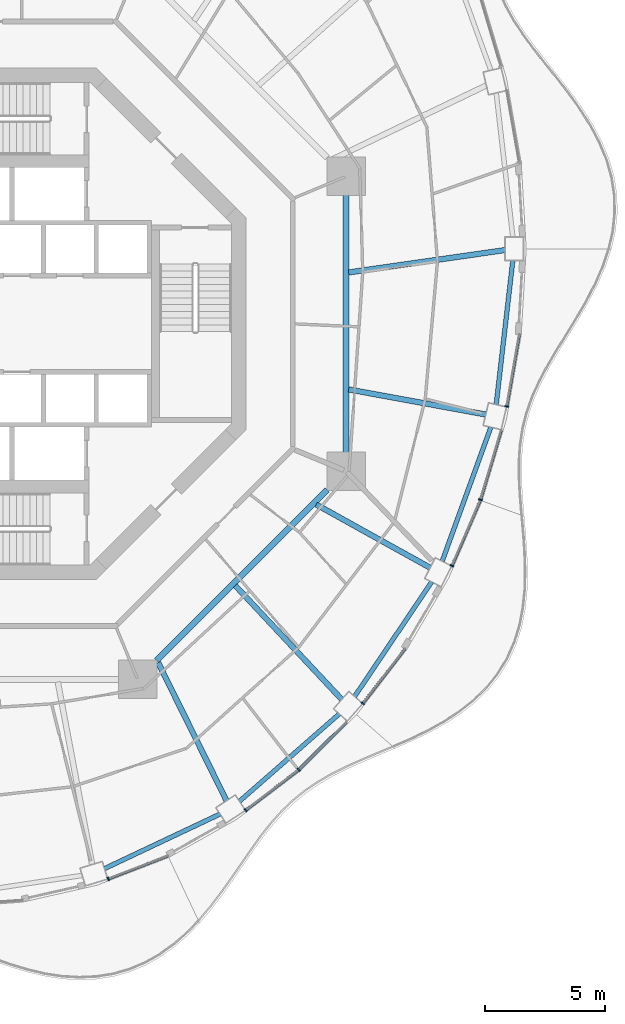
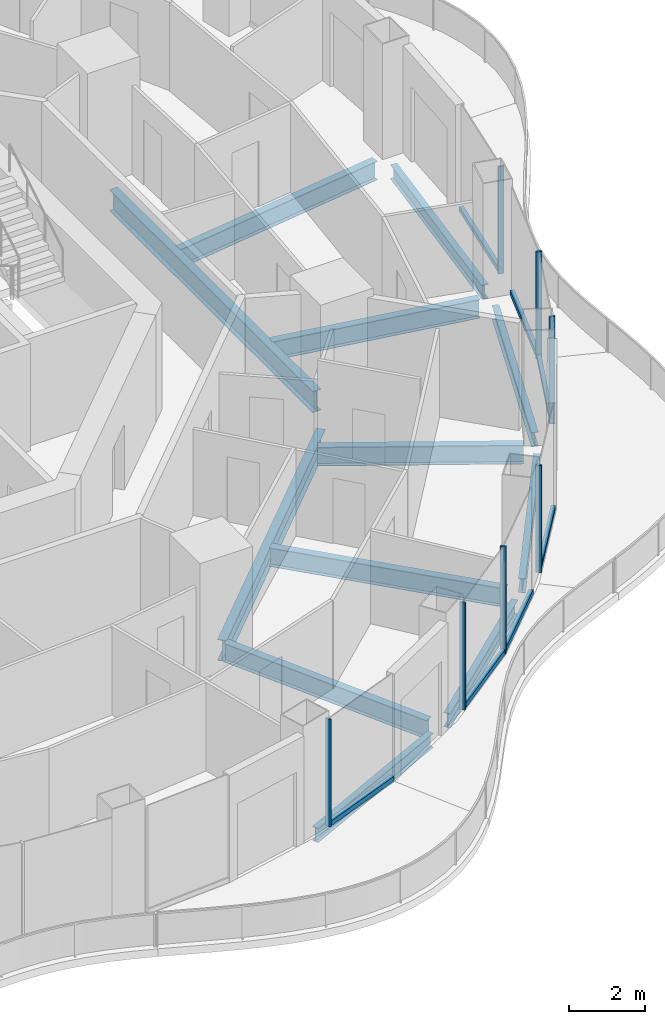
# One storey, part 4 of 18: 14 members, 12 beams, 7 elements without a shape of their own.
"""IFC4 building model written with IfcOpenShell, lengths in metres."""

from ifc_helpers import new_model, si_unit, direction, frame, origin, origin_2d, place, context, subcontext, project, spatial, rectangle, i_section, extrude, material, layer, layer_set, material_profile, profile_set, type_object, element, aggregate, save


model = new_model("IFC4")

# Units and contexts
model_context = context("Model", 3, precision=1e-05, world=origin(), true_north=direction((0.0, 1.0)))
body_context = subcontext(model_context, "Body", "Model", "MODEL_VIEW")
ifc_project = project(units=[si_unit("LENGTHUNIT", "METRE"), si_unit("AREAUNIT", "SQUARE_METRE"), si_unit("VOLUMEUNIT", "CUBIC_METRE"), si_unit("PLANEANGLEUNIT", "RADIAN"), si_unit("MASSUNIT", "GRAM", prefix="KILO")], contexts=[model_context])

# Site, building, storey
site_placement = place(None, origin())
site = spatial("IfcSite", under=ifc_project, at=site_placement, CompositionType="ELEMENT")
building_placement = place(site_placement, origin())
building = spatial("IfcBuilding", under=site, at=building_placement, Name="Nagisa Residences", CompositionType="ELEMENT")
storey_placement = place(building_placement, frame((0.0, 0.0, 238.10009765625)))
storey = spatial("IfcBuildingStorey", under=building, at=storey_placement, Name="L60", CompositionType="ELEMENT", Elevation=238.10009765625)

# Curtain wall, member
ifc_material_1 = material(Name="Concrete-coloured aluminium curtain wall system", Category="concrete")
ifc_layer = layer(ifc_material_1, 0.159912109375)
ifc_layer_set = layer_set([ifc_layer], Name="CW1 CURTAIN WALL")
curtain_wall_type = type_object("IfcCurtainWallType", Name="CW1 CURTAIN WALL", PredefinedType="NOTDEFINED", material=ifc_layer_set)
curtain_wall_1_placement = place(storey_placement, origin())
curtain_wall_1 = element("IfcCurtainWall", 1, at=curtain_wall_1_placement, inside=storey, type_object=curtain_wall_type, Name="cw:CW1:L60:38", PredefinedType="NOTDEFINED")
ifc_material_2 = material(Name="Concrete-coloured aluminium", Category="concrete")
ifc_material_profile_1 = material_profile(ifc_material_2, rectangle(XDim=0.159912109375, YDim=0.06005859375, at=origin_2d()), Name="CW1 MULLION 160x60")
ifc_profile_set_1 = profile_set([ifc_material_profile_1], Name="Concrete-coloured aluminium")
member_type_1 = type_object("IfcMemberType", Name="CW1 MULLION 160x60", PredefinedType="MULLION", material=ifc_profile_set_1)
member_1_placement = place(storey_placement, frame((4.895263671875, -23.073486328125, 0.0), z_axis=(0.0, 0.0, 1.0), x_axis=(-0.360327770268, 0.932825759707, 0.0)))
member_1 = element("IfcMember", 2, at=member_1_placement, type_object=member_type_1, Name="CW1 mullion", PredefinedType="MULLION", context=body_context, shape_type="SweptSolid", body=[
    extrude(rectangle(XDim=0.159912109375, YDim=0.06005859375, at=origin_2d()), origin(), (0.0, 0.0, 1.0), 3.43994140625),
])

curtain_wall_2_placement = place(storey_placement, origin())
curtain_wall_2 = element("IfcCurtainWall", 3, at=curtain_wall_2_placement, inside=storey, type_object=curtain_wall_type, Name="cw:CW1:L60:40", PredefinedType="NOTDEFINED")
member_2_placement = place(storey_placement, frame((10.6083984375, -20.21826171875, 0.0), z_axis=(0.0, 0.0, 1.0), x_axis=(-0.605255421737, 0.79603132756, 0.0)))
member_2 = element("IfcMember", 4, at=member_2_placement, type_object=member_type_1, Name="CW1 mullion", PredefinedType="MULLION", context=body_context, shape_type="SweptSolid", body=[
    extrude(rectangle(XDim=0.159912109375, YDim=0.06005859375, at=origin_2d()), origin(), (0.0, 0.0, 1.0), 3.43994140625),
])

curtain_wall_3_placement = place(storey_placement, origin())
curtain_wall_3 = element("IfcCurtainWall", 5, at=curtain_wall_3_placement, inside=storey, type_object=curtain_wall_type, Name="cw:CW1:L60:41", PredefinedType="NOTDEFINED")
member_3_placement = place(storey_placement, frame((12.817626953125, -18.534423828125, 0.0), z_axis=(0.0, 0.0, 1.0), x_axis=(-0.706376885714, 0.707835924016, 0.0)))
member_3 = element("IfcMember", 6, at=member_3_placement, type_object=member_type_1, Name="CW1 mullion", PredefinedType="MULLION", context=body_context, shape_type="SweptSolid", body=[
    extrude(rectangle(XDim=0.159912109375, YDim=0.06005859375, at=origin_2d()), origin(), (0.0, 0.0, 1.0), 3.43994140625),
])

curtain_wall_4_placement = place(storey_placement, origin())
curtain_wall_4 = element("IfcCurtainWall", 7, at=curtain_wall_4_placement, inside=storey, type_object=curtain_wall_type, Name="cw:CW1:L60:42", PredefinedType="NOTDEFINED")
member_4_placement = place(storey_placement, frame((15.480224609375, -15.78125, 0.0), z_axis=(0.0, 0.0, 1.0), x_axis=(-0.792070340816, 0.610429828235, 0.0)))
member_4 = element("IfcMember", 8, at=member_4_placement, type_object=member_type_1, Name="CW1 mullion", PredefinedType="MULLION", context=body_context, shape_type="SweptSolid", body=[
    extrude(rectangle(XDim=0.159912109375, YDim=0.06005859375, at=origin_2d()), origin(), (0.0, 0.0, 1.0), 3.43994140625),
])

curtain_wall_5_placement = place(storey_placement, origin())
curtain_wall_5 = element("IfcCurtainWall", 9, at=curtain_wall_5_placement, inside=storey, type_object=curtain_wall_type, Name="cw:CW1:L60:44", PredefinedType="NOTDEFINED")
member_5_placement = place(storey_placement, frame((19.1826171875, -10.05908203125, 0.0), z_axis=(0.0, 0.0, 1.0), x_axis=(-0.917543276295, 0.397635934147, 0.0)))
member_5 = element("IfcMember", 10, at=member_5_placement, type_object=member_type_1, Name="CW1 mullion", PredefinedType="MULLION", context=body_context, shape_type="SweptSolid", body=[
    extrude(rectangle(XDim=0.159912109375, YDim=0.06005859375, at=origin_2d()), origin(), (0.0, 0.0, 1.0), 3.43994140625),
])

curtain_wall_6_placement = place(storey_placement, origin())
curtain_wall_6 = element("IfcCurtainWall", 11, at=curtain_wall_6_placement, inside=storey, type_object=curtain_wall_type, Name="cw:CW1:L60:45", PredefinedType="NOTDEFINED")
member_6_placement = place(storey_placement, frame((20.36962890625, -7.3125, 0.0), z_axis=(0.0, 0.0, 1.0), x_axis=(-0.958271310082, 0.285860274038, 0.0)))
member_6 = element("IfcMember", 12, at=member_6_placement, type_object=member_type_1, Name="CW1 mullion", PredefinedType="MULLION", context=body_context, shape_type="SweptSolid", body=[
    extrude(rectangle(XDim=0.159912109375, YDim=0.06005859375, at=origin_2d()), origin(), (0.0, 0.0, 1.0), 3.43994140625),
])

curtain_wall_7_placement = place(storey_placement, origin())
curtain_wall_7 = element("IfcCurtainWall", 13, at=curtain_wall_7_placement, inside=storey, type_object=curtain_wall_type, Name="cw:CW1:L60:46", PredefinedType="NOTDEFINED")
member_7_placement = place(storey_placement, frame((21.46240234375, -3.435546875, 0.0), z_axis=(0.0, 0.0, 1.0), x_axis=(-0.985063604377, 0.172190868898, 0.0)))
member_7 = element("IfcMember", 14, at=member_7_placement, type_object=member_type_1, Name="CW1 mullion", PredefinedType="MULLION", context=body_context, shape_type="SweptSolid", body=[
    extrude(rectangle(XDim=0.159912109375, YDim=0.06005859375, at=origin_2d()), origin(), (0.0, 0.0, 1.0), 3.43994140625),
])

# Member
ifc_material_3 = material(Name="Concrete-coloured aluminium", Category="concrete")
ifc_material_profile_2 = material_profile(ifc_material_3, rectangle(XDim=0.1201171875, YDim=0.14990234375, at=origin_2d()), Name="CW1 TRANSOM 120x150")
ifc_profile_set_2 = profile_set([ifc_material_profile_2], Name="Concrete-coloured aluminium")
member_type_2 = type_object("IfcMemberType", Name="CW1 TRANSOM 120x150", PredefinedType="USERDEFINED", material=ifc_profile_set_2)
member_8_placement = place(storey_placement, frame((4.867431640625, -23.084228515625, 0.074951171875), z_axis=(0.932826499224, 0.360325855782, 0.0), x_axis=(-0.360325855782, 0.932826499224, 0.0)))
member_8 = element("IfcMember", 15, at=member_8_placement, type_object=member_type_2, Name="CW1 transom", ObjectType="TRANSOM", PredefinedType="USERDEFINED", context=body_context, shape_type="SweptSolid", body=[
    extrude(rectangle(XDim=0.1201171875, YDim=0.14990234375, at=origin_2d()), origin(), (0.0, 0.0, 1.0), 2.696044921875),
])

aggregate(curtain_wall_1, [member_1, member_8])

member_9_placement = place(storey_placement, frame((10.584716796875, -20.236328125, 0.074951171875), z_axis=(0.796032266948, 0.605254186253, 0.0), x_axis=(-0.605254186253, 0.796032266948, 0.0)))
member_9 = element("IfcMember", 16, at=member_9_placement, type_object=member_type_2, Name="CW1 transom", ObjectType="TRANSOM", PredefinedType="USERDEFINED", context=body_context, shape_type="SweptSolid", body=[
    extrude(rectangle(XDim=0.1201171875, YDim=0.14990234375, at=origin_2d()), origin(), (0.0, 0.0, 1.0), 2.78857421875),
])

aggregate(curtain_wall_2, [member_2, member_9])

member_10_placement = place(storey_placement, frame((12.79638671875, -18.5556640625, 0.074951171875), z_axis=(0.707836044127, 0.706376765356, 0.0), x_axis=(-0.706376765356, 0.707836044127, 0.0)))
member_10 = element("IfcMember", 17, at=member_10_placement, type_object=member_type_2, Name="CW1 transom", ObjectType="TRANSOM", PredefinedType="USERDEFINED", context=body_context, shape_type="SweptSolid", body=[
    extrude(rectangle(XDim=0.1201171875, YDim=0.14990234375, at=origin_2d()), origin(), (0.0, 0.0, 1.0), 2.84423828125),
])

aggregate(curtain_wall_3, [member_3, member_10])

member_11_placement = place(storey_placement, frame((15.4619140625, -15.80517578125, 0.074951171875), z_axis=(0.610438565676, 0.792063607001, 0.0), x_axis=(-0.792063607001, 0.610438565676, 0.0)))
member_11 = element("IfcMember", 18, at=member_11_placement, type_object=member_type_2, Name="CW1 transom", ObjectType="TRANSOM", PredefinedType="USERDEFINED", context=body_context, shape_type="SweptSolid", body=[
    extrude(rectangle(XDim=0.1201171875, YDim=0.14990234375, at=origin_2d()), origin(), (0.0, 0.0, 1.0), 2.90087890625),
])

aggregate(curtain_wall_4, [member_4, member_11])

member_12_placement = place(storey_placement, frame((19.170654296875, -10.086669921875, 0.074951171875), z_axis=(0.397616567135, 0.917551669139, 0.0), x_axis=(-0.917551669139, 0.397616567135, 0.0)))
member_12 = element("IfcMember", 19, at=member_12_placement, type_object=member_type_2, Name="CW1 transom", ObjectType="TRANSOM", PredefinedType="USERDEFINED", context=body_context, shape_type="SweptSolid", body=[
    extrude(rectangle(XDim=0.1201171875, YDim=0.14990234375, at=origin_2d()), origin(), (0.0, 0.0, 1.0), 3.001953125),
])

aggregate(curtain_wall_5, [member_5, member_12])

member_13_placement = place(storey_placement, frame((20.361083984375, -7.341064453125, 0.074951171875), z_axis=(0.285881452443, 0.958264992134, 0.0), x_axis=(-0.958264992134, 0.285881452443, 0.0)))
member_13 = element("IfcMember", 20, at=member_13_placement, type_object=member_type_2, Name="CW1 transom", ObjectType="TRANSOM", PredefinedType="USERDEFINED", context=body_context, shape_type="SweptSolid", body=[
    extrude(rectangle(XDim=0.1201171875, YDim=0.14990234375, at=origin_2d()), origin(), (0.0, 0.0, 1.0), 3.040283203125),
])

aggregate(curtain_wall_6, [member_6, member_13])

member_14_placement = place(storey_placement, frame((21.45703125, -3.465087890625, 0.074951171875), z_axis=(0.172241318156, 0.985054784426, 0.0), x_axis=(-0.985054784426, 0.172241318156, 0.0)))
member_14 = element("IfcMember", 21, at=member_14_placement, type_object=member_type_2, Name="CW1 transom", ObjectType="TRANSOM", PredefinedType="USERDEFINED", context=body_context, shape_type="SweptSolid", body=[
    extrude(rectangle(XDim=0.1201171875, YDim=0.14990234375, at=origin_2d()), origin(), (0.0, 0.0, 1.0), 3.0673828125),
])

aggregate(curtain_wall_7, [member_7, member_14])

# Beams
ifc_material_4 = material(Name="Steel ASTM A572 Gr 50", Category="steel")
ifc_material_profile_3 = material_profile(ifc_material_4, i_section(OverallWidth=0.2529296875, OverallDepth=0.677978515625, WebThickness=0.01171875, FlangeThickness=0.016357421875, at=origin_2d()), Name="W690x125")
ifc_profile_set_3 = profile_set([ifc_material_profile_3], Name="Steel ASTM A572 Gr 50")
beam_type_1 = type_object("IfcBeamType", Name="Inner ring beam W690x125", PredefinedType="BEAM", material=ifc_profile_set_3)
beam_1_placement = place(storey_placement, frame((6.90869140625, -13.99609375, -0.59912109375), z_axis=(0.707106781187, 0.707106781187, 0.0), x_axis=(-0.707106781187, 0.707106781187, 0.0)))
element("IfcBeam", 22, at=beam_1_placement, inside=storey, type_object=beam_type_1, Name="beam:L60:ib7", PredefinedType="BEAM", context=body_context, shape_type="SweptSolid", body=[
    extrude(i_section(OverallWidth=0.2529296875, OverallDepth=0.677978515625, WebThickness=0.01171875, FlangeThickness=0.016357421875, at=origin_2d()), origin(), (0.0, 0.0, 1.0), 10.023193359375),
])
beam_2_placement = place(storey_placement, frame((14.781982421875, -5.343017578125, -0.59912109375), z_axis=(0.0, 1.0, 0.0), x_axis=(-1.0, 0.0, 0.0)))
element("IfcBeam", 23, at=beam_2_placement, inside=storey, type_object=beam_type_1, Name="beam:L60:ib8", PredefinedType="BEAM", context=body_context, shape_type="SweptSolid", body=[
    extrude(i_section(OverallWidth=0.2529296875, OverallDepth=0.677978515625, WebThickness=0.01171875, FlangeThickness=0.016357421875, at=origin_2d()), origin(), (0.0, 0.0, 1.0), 10.68603515625),
])
ifc_material_5 = material(Name="Steel ASTM A572 Gr 50", Category="steel")
ifc_material_profile_4 = material_profile(ifc_material_5, i_section(OverallWidth=0.18994140625, OverallDepth=0.45703125, WebThickness=0.009033203125, FlangeThickness=0.014404296875, at=origin_2d()), Name="W460x74")
ifc_profile_set_4 = profile_set([ifc_material_profile_4], Name="Steel ASTM A572 Gr 50")
beam_type_2 = type_object("IfcBeamType", Name="Perimeter ring beam W460x74", PredefinedType="BEAM", material=ifc_profile_set_4)
beam_3_placement = place(storey_placement, frame((4.7392578125, -22.648681640625, -0.488525390625), z_axis=(0.904133867308, 0.42724928319, 0.0), x_axis=(-0.42724928319, 0.904133867308, 0.0)))
element("IfcBeam", 24, at=beam_3_placement, inside=storey, type_object=beam_type_2, Name="beam:L60:pb20", PredefinedType="BEAM", context=body_context, shape_type="SweptSolid", body=[
    extrude(i_section(OverallWidth=0.18994140625, OverallDepth=0.45703125, WebThickness=0.009033203125, FlangeThickness=0.014404296875, at=origin_2d()), origin(), (0.0, 0.0, 1.0), 5.317138671875),
])
beam_4_placement = place(storey_placement, frame((10.349853515625, -19.850341796875, -0.488525390625), z_axis=(0.75242320672, 0.65867998147, 0.0), x_axis=(-0.65867998147, 0.75242320672, 0.0)))
element("IfcBeam", 25, at=beam_4_placement, inside=storey, type_object=beam_type_2, Name="beam:L60:pb21", PredefinedType="BEAM", context=body_context, shape_type="SweptSolid", body=[
    extrude(i_section(OverallWidth=0.18994140625, OverallDepth=0.45703125, WebThickness=0.009033203125, FlangeThickness=0.014404296875, at=origin_2d()), origin(), (0.0, 0.0, 1.0), 5.5185546875),
])
beam_5_placement = place(storey_placement, frame((15.13671875, -15.49462890625, -0.488525390625), z_axis=(0.558109119402, 0.829767564345, 0.0), x_axis=(-0.829767564345, 0.558109119402, 0.0)))
element("IfcBeam", 26, at=beam_5_placement, inside=storey, type_object=beam_type_2, Name="beam:L60:pb22", PredefinedType="BEAM", context=body_context, shape_type="SweptSolid", body=[
    extrude(i_section(OverallWidth=0.18994140625, OverallDepth=0.45703125, WebThickness=0.009033203125, FlangeThickness=0.014404296875, at=origin_2d()), origin(), (0.0, 0.0, 1.0), 5.74365234375),
])
beam_6_placement = place(storey_placement, frame((18.77734375, -9.87255859375, -0.488525390625), z_axis=(0.341290329164, 0.939957930558, 0.0), x_axis=(-0.939957930558, 0.341290329164, 0.0)))
element("IfcBeam", 27, at=beam_6_placement, inside=storey, type_object=beam_type_2, Name="beam:L60:pb23", PredefinedType="BEAM", context=body_context, shape_type="SweptSolid", body=[
    extrude(i_section(OverallWidth=0.18994140625, OverallDepth=0.45703125, WebThickness=0.009033203125, FlangeThickness=0.014404296875, at=origin_2d()), origin(), (0.0, 0.0, 1.0), 5.932373046875),
])
beam_7_placement = place(storey_placement, frame((21.022216796875, -3.36181640625, -0.488525390625), z_axis=(0.114650193512, 0.993405925656, 0.0), x_axis=(-0.993405925656, 0.114650193512, 0.0)))
element("IfcBeam", 28, at=beam_7_placement, inside=storey, type_object=beam_type_2, Name="beam:L60:pb24", PredefinedType="BEAM", context=body_context, shape_type="SweptSolid", body=[
    extrude(i_section(OverallWidth=0.18994140625, OverallDepth=0.45703125, WebThickness=0.009033203125, FlangeThickness=0.014404296875, at=origin_2d()), origin(), (0.0, 0.0, 1.0), 6.0390625),
])
ifc_material_6 = material(Name="Steel ASTM A572 Gr 50", Category="steel")
ifc_material_profile_5 = material_profile(ifc_material_6, i_section(OverallWidth=0.22802734375, OverallDepth=0.60302734375, WebThickness=0.010498046875, FlangeThickness=0.014892578125, at=origin_2d()), Name="W610x101")
ifc_profile_set_5 = profile_set([ifc_material_profile_5], Name="Steel ASTM A572 Gr 50")
beam_type_3 = type_object("IfcBeamType", Name="Radial beam W610x101", PredefinedType="BEAM", material=ifc_profile_set_5)
beam_8_placement = place(storey_placement, frame((21.389892578125, 3.063232421875, -0.5615234375), z_axis=(-0.989903345459, -0.141744018034, 0.0), x_axis=(0.141744018034, -0.989903345459, 0.0)))
element("IfcBeam", 29, at=beam_8_placement, inside=storey, type_object=beam_type_3, Name="beam:L60:rb01", PredefinedType="BEAM", context=body_context, shape_type="SweptSolid", body=[
    extrude(i_section(OverallWidth=0.22802734375, OverallDepth=0.60302734375, WebThickness=0.010498046875, FlangeThickness=0.014892578125, at=origin_2d()), origin(), (0.0, 0.0, 1.0), 6.567626953125),
])
beam_9_placement = place(storey_placement, frame((9.815185546875, -19.826416015625, -0.5615234375), z_axis=(-0.443658666969, 0.896195842003, 0.0), x_axis=(-0.896195842003, -0.443658666969, 0.0)))
element("IfcBeam", 30, at=beam_9_placement, inside=storey, type_object=beam_type_3, Name="beam:L60:rb21", PredefinedType="BEAM", context=body_context, shape_type="SweptSolid", body=[
    extrude(i_section(OverallWidth=0.22802734375, OverallDepth=0.60302734375, WebThickness=0.010498046875, FlangeThickness=0.014892578125, at=origin_2d()), origin(), (0.0, 0.0, 1.0), 6.406982421875),
])
beam_10_placement = place(storey_placement, frame((14.605712890625, -15.617431640625, -0.5615234375), z_axis=(-0.683072943543, 0.730350158349, 0.0), x_axis=(-0.730350158349, -0.683072943543, 0.0)))
element("IfcBeam", 31, at=beam_10_placement, inside=storey, type_object=beam_type_3, Name="beam:L60:rb22", PredefinedType="BEAM", context=body_context, shape_type="SweptSolid", body=[
    extrude(i_section(OverallWidth=0.22802734375, OverallDepth=0.60302734375, WebThickness=0.010498046875, FlangeThickness=0.014892578125, at=origin_2d()), origin(), (0.0, 0.0, 1.0), 6.486083984375),
])
beam_11_placement = place(storey_placement, frame((18.27978515625, -10.142822265625, -0.5615234375), z_axis=(-0.874405859214, 0.485195211614, 0.0), x_axis=(-0.485195211614, -0.874405859214, 0.0)))
element("IfcBeam", 32, at=beam_11_placement, inside=storey, type_object=beam_type_3, Name="beam:L60:rb23", PredefinedType="BEAM", context=body_context, shape_type="SweptSolid", body=[
    extrude(i_section(OverallWidth=0.22802734375, OverallDepth=0.60302734375, WebThickness=0.010498046875, FlangeThickness=0.014892578125, at=origin_2d()), origin(), (0.0, 0.0, 1.0), 5.417724609375),
])
beam_12_placement = place(storey_placement, frame((20.592529296875, -3.7734375, -0.5615234375), z_axis=(-0.983621738755, 0.180245041675, 0.0), x_axis=(-0.180245041675, -0.983621738755, 0.0)))
element("IfcBeam", 33, at=beam_12_placement, inside=storey, type_object=beam_type_3, Name="beam:L60:rb24", PredefinedType="BEAM", context=body_context, shape_type="SweptSolid", body=[
    extrude(i_section(OverallWidth=0.22802734375, OverallDepth=0.60302734375, WebThickness=0.010498046875, FlangeThickness=0.014892578125, at=origin_2d()), origin(), (0.0, 0.0, 1.0), 5.798583984375),
])

save(model, "model.ifc")
